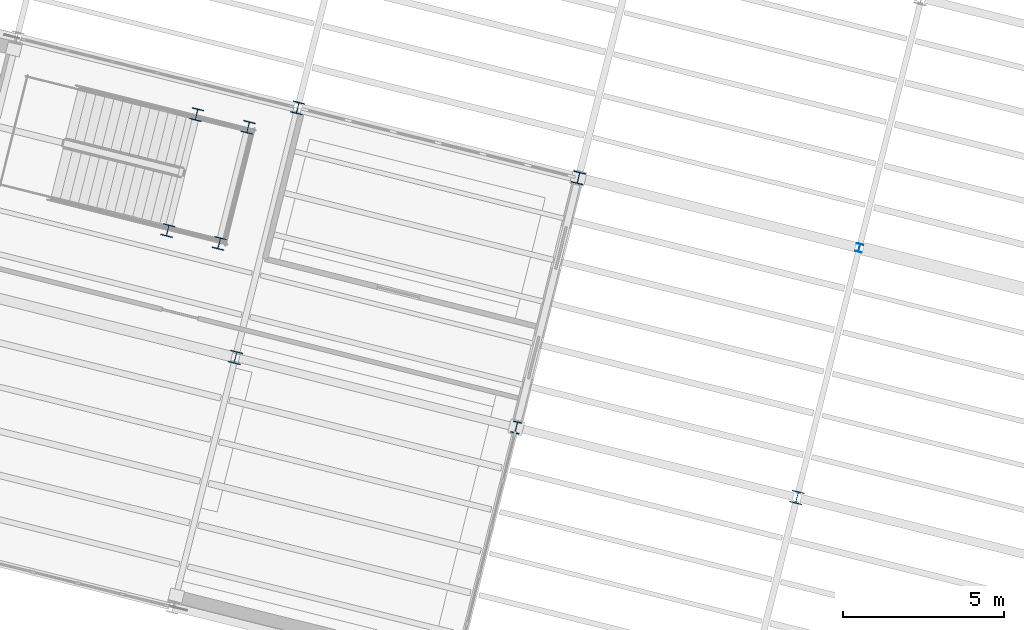
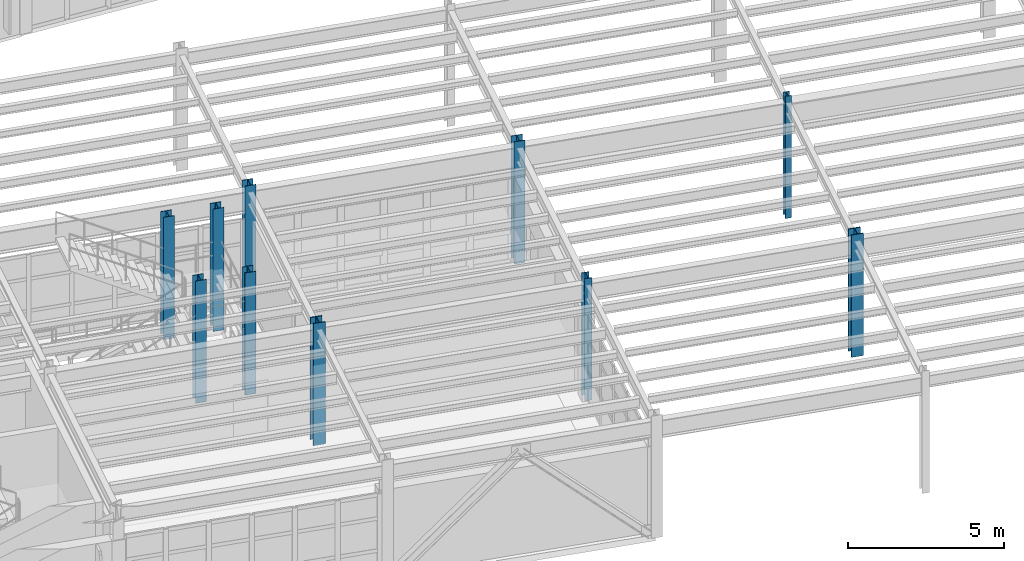
# One storey, part 8 of 109: 10 columns.
"""IFC4 building model written with IfcOpenShell, lengths in metres."""

from ifc_helpers import new_model, si_unit, direction, frame, origin, origin_2d, place, context, subcontext, project, spatial, i_section, extrude, material, material_profile, profile_set, type_object, element, save


model = new_model("IFC4")

# Units and contexts
model_context = context("Model", 3, precision=1e-05, world=origin(), true_north=direction((0.0, 1.0)))
body_context = subcontext(model_context, "Body", "Model", "MODEL_VIEW")
ifc_project = project(units=[si_unit("LENGTHUNIT", "METRE"), si_unit("AREAUNIT", "SQUARE_METRE"), si_unit("VOLUMEUNIT", "CUBIC_METRE"), si_unit("PLANEANGLEUNIT", "RADIAN"), si_unit("MASSUNIT", "GRAM", prefix="KILO")], contexts=[model_context])

# Site, building, storey
site_placement = place(None, origin())
site = spatial("IfcSite", under=ifc_project, at=site_placement, CompositionType="ELEMENT")
building_placement = place(site_placement, origin())
building = spatial("IfcBuilding", under=site, at=building_placement, Name="Vireo Bluff Cable Station", CompositionType="ELEMENT")
storey_placement = place(building_placement, frame((0.0, 0.0, 4.800048828125)))
storey = spatial("IfcBuildingStorey", under=building, at=storey_placement, Name="L01", CompositionType="ELEMENT", Elevation=4.800048828125)

# Columns
ifc_material = material(Name="Steel ASTM A992 Gr. 50", Category="steel")
ifc_material_profile_1 = material_profile(ifc_material, i_section(OverallWidth=0.39892578125, OverallDepth=0.385986328125, WebThickness=0.02099609375, FlangeThickness=0.033203125, FilletRadius=0.014892578125, at=origin_2d()), Name="W14X176")
ifc_profile_set_1 = profile_set([ifc_material_profile_1], Name="Steel ASTM A992 Gr. 50")
column_type_1 = type_object("IfcColumnType", Name="COL-W14X176", PredefinedType="COLUMN", material=ifc_profile_set_1)
for number, where, z_axis, x_axis, name in (
    (1, (73.400634765625, 41.40771484375, 0.0), (0.0, 0.0, 1.0), (0.970295726276, -0.2419218956, 0.0), "V1 L01 column 47"),
    (2, (90.865966796875, 37.05322265625, 0.0), (0.0, 0.0, 1.0), (0.970295726276, -0.2419218956, 0.0), "V1 L01 column 87"),
):
    element("IfcColumn", number, at=place(storey_placement, frame(where, z_axis=z_axis, x_axis=x_axis)), inside=storey, type_object=column_type_1, Name=name, PredefinedType="COLUMN", context=body_context, shape_type="SweptSolid", body=[
        extrude(i_section(OverallWidth=0.39892578125, OverallDepth=0.385986328125, WebThickness=0.02099609375, FlangeThickness=0.033203125, FilletRadius=0.014892578125, at=origin_2d()), origin(), (0.0, 0.0, 1.0), 4.800048828125),
    ])
ifc_material_profile_2 = material_profile(ifc_material, i_section(OverallWidth=0.367919921875, OverallDepth=0.35595703125, WebThickness=0.01123046875, FlangeThickness=0.01806640625, FilletRadius=0.014892578125, at=origin_2d()), Name="W14X90")
ifc_profile_set_2 = profile_set([ifc_material_profile_2], Name="Steel ASTM A992 Gr. 50")
column_type_2 = type_object("IfcColumnType", Name="COL-W14X90", PredefinedType="COLUMN", material=ifc_profile_set_2)
for number, where, z_axis, x_axis, name in (
    (3, (71.29296875, 45.35498046875, 0.0), (0.0, 0.0, 1.0), (0.970295726276, -0.2419218956, 0.0), "ST-10 L01 landing support column 1"),
    (4, (72.89404296875, 44.955810546875, 0.0), (0.0, 0.0, 1.0), (0.970295726276, -0.2419218956, 0.0), "ST-10 L01 landing support column 2"),
    (5, (72.19287109375, 48.96435546875, 0.0), (0.0, 0.0, 1.0), (0.970295726276, -0.2419218956, 0.0), "ST-10 L01 landing support column 3"),
    (6, (73.7939453125, 48.565185546875, 0.0), (0.0, 0.0, 1.0), (0.970295726276, -0.2419218956, 0.0), "ST-10 L01 landing support column 4"),
):
    element("IfcColumn", number, at=place(storey_placement, frame(where, z_axis=z_axis, x_axis=x_axis)), inside=storey, type_object=column_type_2, Name=name, PredefinedType="COLUMN", context=body_context, shape_type="SweptSolid", body=[
        extrude(i_section(OverallWidth=0.367919921875, OverallDepth=0.35595703125, WebThickness=0.01123046875, FlangeThickness=0.01806640625, FilletRadius=0.014892578125, at=origin_2d()), origin(), (0.0, 0.0, 1.0), 4.800048828125),
    ])
ifc_material_profile_3 = material_profile(ifc_material, i_section(OverallWidth=0.257080078125, OverallDepth=0.363037109375, WebThickness=0.012939453125, FlangeThickness=0.021728515625, FilletRadius=0.014892578125, at=origin_2d()), Name="W14X82")
ifc_profile_set_3 = profile_set([ifc_material_profile_3], Name="Steel ASTM A992 Gr. 50")
column_type_3 = type_object("IfcColumnType", Name="ECOL-W14X82", PredefinedType="COLUMN", material=ifc_profile_set_3)
column_1_placement = place(storey_placement, frame((82.13330078125, 39.23046875, 0.0), z_axis=(0.0, 0.0, 1.0), x_axis=(0.970295726276, -0.2419218956, 0.0)))
element("IfcColumn", 7, at=column_1_placement, inside=storey, type_object=column_type_3, Name="V1 L01 column 67", PredefinedType="COLUMN", context=body_context, shape_type="SweptSolid", body=[
    extrude(i_section(OverallWidth=0.257080078125, OverallDepth=0.363037109375, WebThickness=0.012939453125, FlangeThickness=0.021728515625, FilletRadius=0.014892578125, at=origin_2d()), origin(), (0.0, 0.0, 1.0), 4.800048828125),
])
ifc_material_profile_4 = material_profile(ifc_material, i_section(OverallWidth=0.3701171875, OverallDepth=0.360107421875, WebThickness=0.01220703125, FlangeThickness=0.019775390625, FilletRadius=0.014892578125, at=origin_2d()), Name="W14X99")
ifc_profile_set_4 = profile_set([ifc_material_profile_4], Name="Steel ASTM A992 Gr. 50")
column_type_4 = type_object("IfcColumnType", Name="ECOL-W14X99", PredefinedType="COLUMN", material=ifc_profile_set_4)
for number, where, z_axis, x_axis, name in (
    (8, (75.336181640625, 49.170166015625, 0.0), (0.0, 0.0, 1.0), (0.970295726276, -0.2419218956, 0.0), "V1 L01 column 52"),
    (9, (84.06884765625, 46.992919921875, 0.0), (0.0, 0.0, 1.0), (0.970295726276, -0.2419218956, 0.0), "V1 L01 column 72"),
):
    element("IfcColumn", number, at=place(storey_placement, frame(where, z_axis=z_axis, x_axis=x_axis)), inside=storey, type_object=column_type_4, Name=name, PredefinedType="COLUMN", context=body_context, shape_type="SweptSolid", body=[
        extrude(i_section(OverallWidth=0.3701171875, OverallDepth=0.360107421875, WebThickness=0.01220703125, FlangeThickness=0.019775390625, FilletRadius=0.014892578125, at=origin_2d()), origin(), (0.0, 0.0, 1.0), 4.800048828125),
    ])
ifc_material_profile_5 = material_profile(ifc_material, i_section(OverallWidth=0.2041015625, OverallDepth=0.257080078125, WebThickness=0.0087890625, FlangeThickness=0.015625, FilletRadius=0.009033203125, at=origin_2d()), Name="W10X45")
ifc_profile_set_5 = profile_set([ifc_material_profile_5], Name="Steel ASTM A992 Gr. 50")
column_type_5 = type_object("IfcColumnType", Name="PIL-W10X45", PredefinedType="PILASTER", material=ifc_profile_set_5)
column_2_placement = place(storey_placement, frame((92.801513671875, 44.8154296875, 0.0), z_axis=(0.0, 0.0, 1.0), x_axis=(0.970295726276, -0.2419218956, 0.0)))
element("IfcColumn", 10, at=column_2_placement, inside=storey, type_object=column_type_5, Name="V1 L01 column 90", PredefinedType="PILASTER", context=body_context, shape_type="SweptSolid", body=[
    extrude(i_section(OverallWidth=0.2041015625, OverallDepth=0.257080078125, WebThickness=0.0087890625, FlangeThickness=0.015625, FilletRadius=0.009033203125, at=origin_2d()), origin(), (0.0, 0.0, 1.0), 4.800048828125),
])

save(model, "model.ifc")
